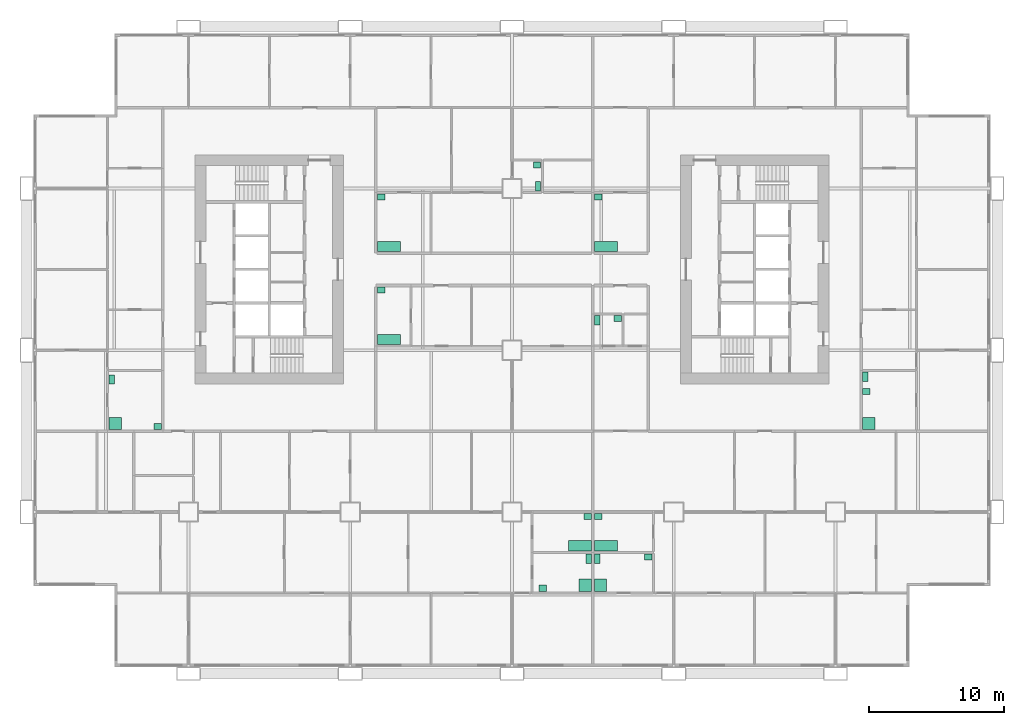
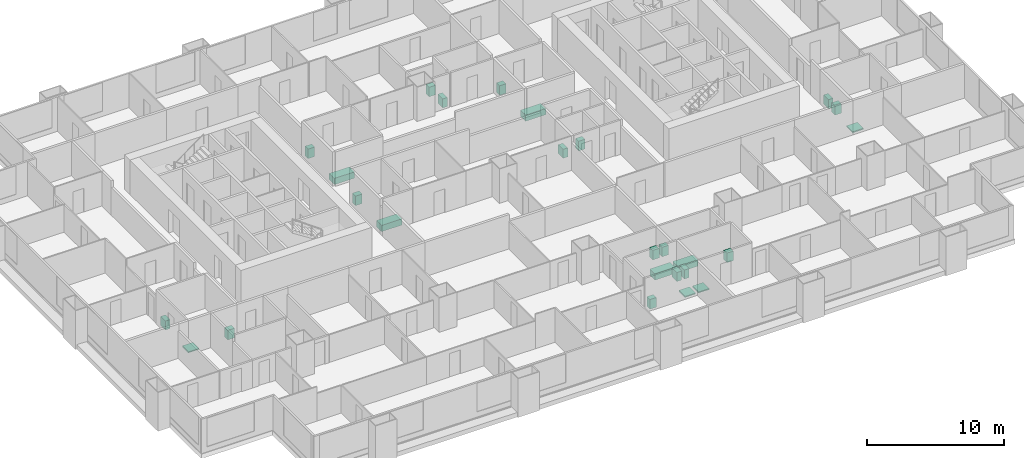
# One storey, part 13 of 13: 26 sanitary terminals.
"""IFC4 building model written with IfcOpenShell, lengths in metres."""

from ifc_helpers import new_model, si_unit, direction, frame, origin, origin_2d, place, context, subcontext, project, spatial, rectangle, extrude, material, type_object, element, save


model = new_model("IFC4")

# Units and contexts
model_context = context("Model", 3, precision=1e-05, world=origin(), true_north=direction((0.0, 1.0)))
body_context = subcontext(model_context, "Body", "Model", "MODEL_VIEW")
ifc_project = project(units=[si_unit("LENGTHUNIT", "METRE"), si_unit("AREAUNIT", "SQUARE_METRE"), si_unit("VOLUMEUNIT", "CUBIC_METRE"), si_unit("PLANEANGLEUNIT", "RADIAN"), si_unit("MASSUNIT", "GRAM", prefix="KILO")], contexts=[model_context])

# Site, building, storey
site_placement = place(None, origin())
site = spatial("IfcSite", under=ifc_project, at=site_placement, CompositionType="ELEMENT")
building_placement = place(site_placement, origin())
building = spatial("IfcBuilding", under=site, at=building_placement, Name="Kitamizu Gate Tower and Museum", CompositionType="ELEMENT")
storey_placement = place(building_placement, frame((0.0, 0.0, 57.60009765625)))
storey = spatial("IfcBuildingStorey", under=building, at=storey_placement, Name="L13", CompositionType="ELEMENT", Elevation=57.60009765625)

# Sanitary terminals
ifc_material_1 = material(Name="Acrylic")
sanitary_terminal_type_1 = type_object("IfcSanitaryTerminalType", Name="Bath", PredefinedType="BATH", material=ifc_material_1)
for number, where, z_axis, x_axis, name in (
    (1, (41.030029296875, 9.4951171875, 0.0009765625), (0.0, 0.0, 1.0), (1.0, 0.0, 0.0), "Bath Bathroom 13A"),
    (2, (26.8701171875, 24.794921875, 0.0009765625), (0.0, 0.0, 1.0), (1.0, 0.0, 0.0), "Bath Bathroom and WC 13B"),
    (3, (42.969970703125, 9.4951171875, 0.0009765625), (0.0, 0.0, 1.0), (1.0, 0.0, 0.0), "Bath Bathroom 13C"),
    (4, (26.8701171875, 31.695068359375, 0.0009765625), (0.0, 0.0, 1.0), (1.0, 0.0, 0.0), "Bath Bathroom 13D"),
    (5, (42.969970703125, 31.695068359375, 0.0009765625), (0.0, 0.0, 1.0), (1.0, 0.0, 0.0), "Bath Bathroom and WC 13F"),
):
    element("IfcSanitaryTerminal", number, at=place(storey_placement, frame(where, z_axis=z_axis, x_axis=x_axis)), inside=storey, type_object=sanitary_terminal_type_1, Name=name, PredefinedType="BATH", context=body_context, shape_type="SweptSolid", body=[
        extrude(rectangle(XDim=1.699951171875, YDim=0.75, at=origin_2d()), origin(), (0.0, 0.0, 1.0), 0.550048828125),
    ])
ifc_material_2 = material(Name="Acrylic")
sanitary_terminal_type_2 = type_object("IfcSanitaryTerminalType", Name="Shower tray", PredefinedType="SHOWER", material=ifc_material_2)
for number, where, z_axis, x_axis, name in (
    (6, (41.429931640625, 6.570068359375, 0.000732421875), (0.0, 0.0, 1.0), (1.0, 0.0, 0.0), "Shower tray En-suite bathroom and WC 13A"),
    (7, (42.570068359375, 6.570068359375, 0.000732421875), (0.0, 0.0, 1.0), (1.0, 0.0, 0.0), "Shower tray En-suite bathroom 13C"),
    (8, (6.570068359375, 18.570068359375, 0.000732421875), (0.0, 0.0, 1.0), (1.0, 0.0, 0.0), "Shower tray En-suite bathroom and WC 13E"),
    (9, (62.469970703125, 18.570068359375, 0.000732421875), (0.0, 0.0, 1.0), (1.0, 0.0, 0.0), "Shower tray En-suite bathroom and WC 13G"),
):
    element("IfcSanitaryTerminal", number, at=place(storey_placement, frame(where, z_axis=z_axis, x_axis=x_axis)), inside=storey, type_object=sanitary_terminal_type_2, Name=name, PredefinedType="SHOWER", context=body_context, shape_type="SweptSolid", body=[
        extrude(rectangle(XDim=0.89990234375, YDim=0.89990234375, at=origin_2d()), origin(), (0.0, 0.0, 1.0), 0.10009765625),
    ])
ifc_material_3 = material(Name="Vitreous china")
sanitary_terminal_type_3 = type_object("IfcSanitaryTerminalType", Name="Wash hand basin", PredefinedType="WASHHANDBASIN", material=ifc_material_3)
for number, where, z_axis, x_axis, name in (
    (10, (38.294921875, 6.344970703125, 0.000732421875), (0.0, 0.0, 1.0), (1.0, 0.0, 0.0), "Wash hand basin En-suite bathroom and WC 13A"),
    (11, (41.60498046875, 11.655029296875, 0.000732421875), (0.0, 0.0, 1.0), (1.0, 0.0, 0.0), "Wash hand basin Bathroom 13A"),
    (12, (26.294921875, 28.455078125, 0.000732421875), (0.0, 0.0, 1.0), (1.0, 0.0, 0.0), "Wash hand basin Bathroom and WC 13B"),
    (13, (46.10498046875, 8.655029296875, 0.000732421875), (0.0, 0.0, 1.0), (1.0, 0.0, 0.0), "Wash hand basin En-suite bathroom 13C"),
    (14, (42.39501953125, 11.655029296875, 0.000732421875), (0.0, 0.0, 1.0), (1.0, 0.0, 0.0), "Wash hand basin Bathroom 13C"),
    (15, (43.85498046875, 26.35498046875, 0.000732421875), (0.0, 0.0, 1.0), (1.0, 0.0, 0.0), "Wash hand basin WC 13C"),
    (16, (37.85498046875, 37.7548828125, 0.000732421875), (0.0, 0.0, 1.0), (1.0, 0.0, 0.0), "Wash hand basin WC 13D"),
    (17, (26.294921875, 35.35498046875, 0.000732421875), (0.0, 0.0, 1.0), (1.0, 0.0, 0.0), "Wash hand basin Bathroom 13D"),
    (18, (9.705078125, 18.344970703125, 0.000732421875), (0.0, 0.0, 1.0), (1.0, 0.0, 0.0), "Wash hand basin En-suite bathroom and WC 13E"),
    (19, (42.39501953125, 35.35498046875, 0.000732421875), (0.0, 0.0, 1.0), (1.0, 0.0, 0.0), "Wash hand basin Bathroom and WC 13F"),
    (20, (62.294921875, 20.955078125, 0.000732421875), (0.0, 0.0, 1.0), (1.0, 0.0, 0.0), "Wash hand basin En-suite bathroom and WC 13G"),
):
    element("IfcSanitaryTerminal", number, at=place(storey_placement, frame(where, z_axis=z_axis, x_axis=x_axis)), inside=storey, type_object=sanitary_terminal_type_3, Name=name, PredefinedType="WASHHANDBASIN", context=body_context, shape_type="SweptSolid", body=[
        extrude(rectangle(XDim=0.550048828125, YDim=0.449951171875, at=origin_2d()), origin(), (0.0, 0.0, 1.0), 0.85009765625),
    ])
ifc_material_4 = material(Name="Vitreous china")
sanitary_terminal_type_4 = type_object("IfcSanitaryTerminalType", Name="Water closet", PredefinedType="TOILETPAN", material=ifc_material_4)
for number, where, z_axis, x_axis, name in (
    (21, (41.679931640625, 8.530029296875, 0.0009765625), (0.0, 0.0, 1.0), (1.0, 0.0, 0.0), "Water closet En-suite bathroom and WC 13A"),
    (22, (42.320068359375, 8.530029296875, 0.0009765625), (0.0, 0.0, 1.0), (1.0, 0.0, 0.0), "Water closet En-suite bathroom 13C"),
    (23, (42.320068359375, 26.22998046875, 0.0009765625), (0.0, 0.0, 1.0), (1.0, 0.0, 0.0), "Water closet WC 13C"),
    (24, (37.929931640625, 36.169921875, 0.0009765625), (0.0, 0.0, 1.0), (1.0, 0.0, 0.0), "Water closet WC 13D"),
    (25, (6.320068359375, 21.830078125, 0.0009765625), (0.0, 0.0, 1.0), (1.0, 0.0, 0.0), "Water closet En-suite bathroom and WC 13E"),
    (26, (62.219970703125, 22.030029296875, 0.0009765625), (0.0, 0.0, 1.0), (1.0, 0.0, 0.0), "Water closet En-suite bathroom and WC 13G"),
):
    element("IfcSanitaryTerminal", number, at=place(storey_placement, frame(where, z_axis=z_axis, x_axis=x_axis)), inside=storey, type_object=sanitary_terminal_type_4, Name=name, PredefinedType="TOILETPAN", context=body_context, shape_type="SweptSolid", body=[
        extrude(rectangle(XDim=0.39990234375, YDim=0.699951171875, at=origin_2d()), origin(), (0.0, 0.0, 1.0), 0.800048828125),
    ])

save(model, "model.ifc")
